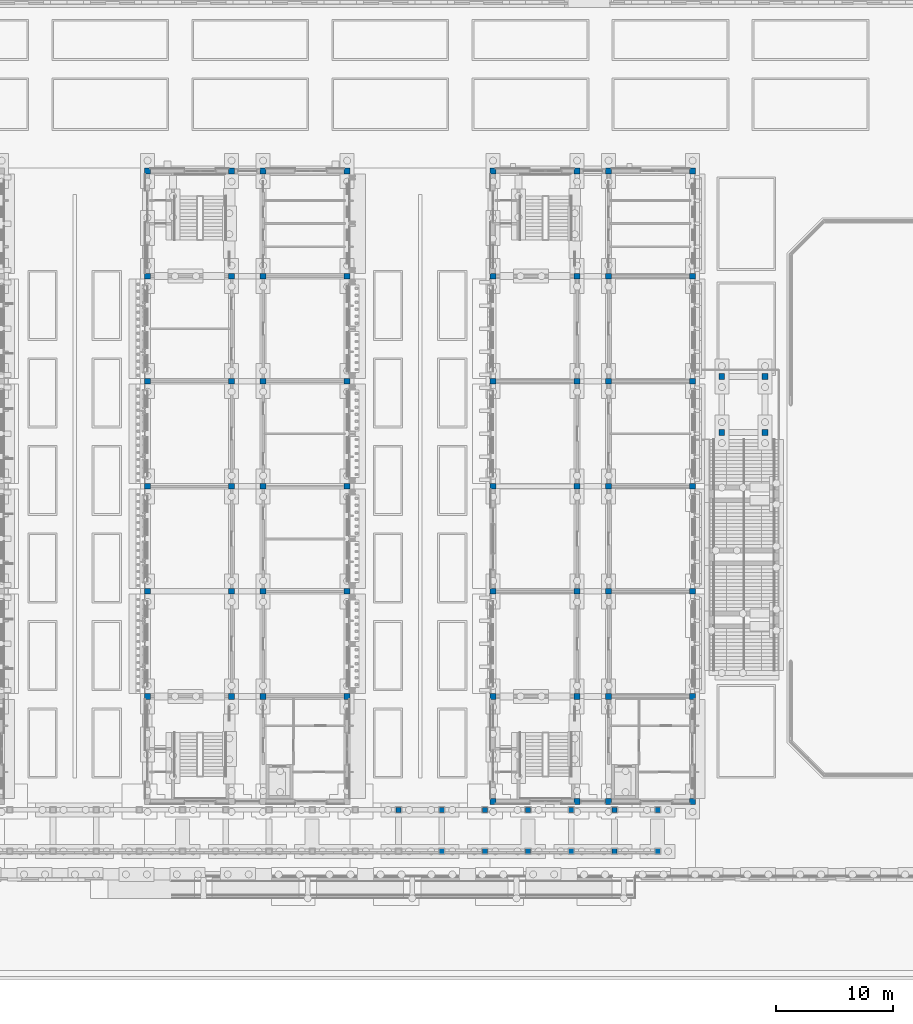
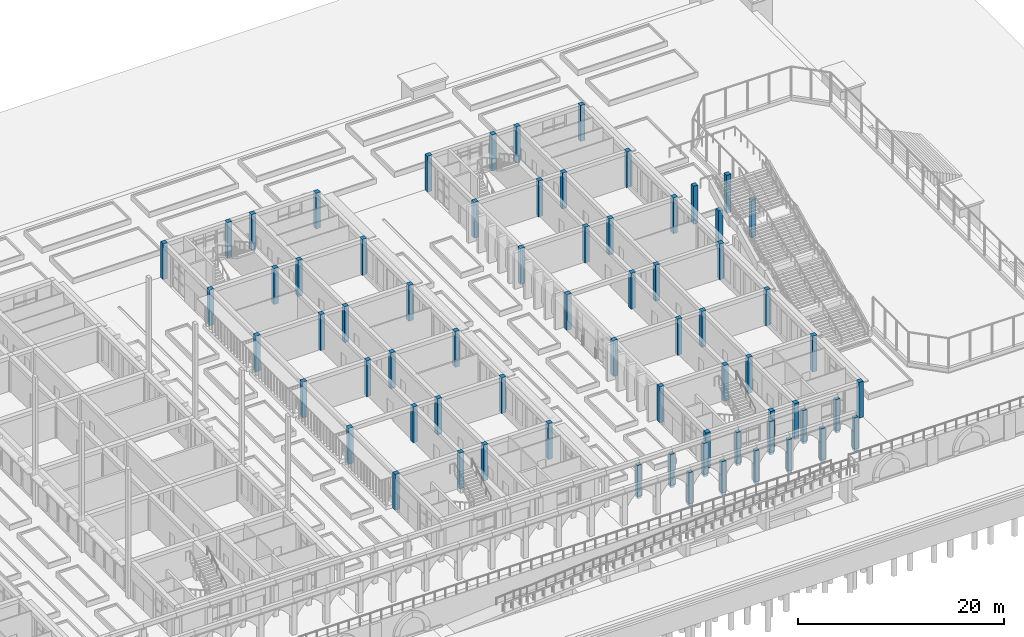
# One storey, part 9 of 161: 69 columns.
"""IFC4 building model written with IfcOpenShell, lengths in metres."""

from ifc_helpers import new_model, si_unit, direction, frame, origin, origin_2d, place, context, subcontext, project, spatial, rectangle, extrude, material, material_profile, profile_set, type_object, element, save


model = new_model("IFC4")

# Units and contexts
model_context = context("Model", 3, precision=1e-05, world=origin(), true_north=direction((0.0, 1.0)))
body_context = subcontext(model_context, "Body", "Model", "MODEL_VIEW")
ifc_project = project(units=[si_unit("LENGTHUNIT", "METRE"), si_unit("AREAUNIT", "SQUARE_METRE"), si_unit("VOLUMEUNIT", "CUBIC_METRE"), si_unit("PLANEANGLEUNIT", "RADIAN"), si_unit("MASSUNIT", "GRAM", prefix="KILO")], contexts=[model_context])

# Site, building, storey
site_placement = place(None, origin())
site = spatial("IfcSite", under=ifc_project, at=site_placement, CompositionType="ELEMENT")
building_placement = place(site_placement, origin())
building = spatial("IfcBuilding", under=site, at=building_placement, Name="Elbe Cascade School", CompositionType="ELEMENT")
storey_placement = place(building_placement, origin())
storey = spatial("IfcBuildingStorey", under=building, at=storey_placement, Name="L00", CompositionType="ELEMENT", Elevation=0.0)

# Columns
ifc_material_1 = material(Name="Concrete C35/45", Category="concrete")
ifc_material_profile_1 = material_profile(ifc_material_1, rectangle(XDim=0.449951171875, YDim=0.449951171875, at=origin_2d()), Name="RC 450x450")
ifc_profile_set_1 = profile_set([ifc_material_profile_1], Name="Concrete C35/45")
column_type_1 = type_object("IfcColumnType", Name="Colonnade column RC 450x450", PredefinedType="COLUMN", material=ifc_profile_set_1)
for number, where, z_axis, x_axis, name in (
    (1, (153.39990234375, 1.72509765625, -0.300048828125), (0.0, 0.0, 1.0), (1.0, 0.0, 0.0), "Colonnade column F40"),
    (2, (157.10009765625, 1.72509765625, -0.300048828125), (0.0, 0.0, 1.0), (1.0, 0.0, 0.0), "Colonnade column F41"),
    (3, (160.800048828125, 1.72509765625, -0.300048828125), (0.0, 0.0, 1.0), (1.0, 0.0, 0.0), "Colonnade column F42"),
    (4, (164.5, 1.72509765625, -0.300048828125), (0.0, 0.0, 1.0), (1.0, 0.0, 0.0), "Colonnade column F43"),
    (5, (168.199951171875, 1.72509765625, -0.300048828125), (0.0, 0.0, 1.0), (1.0, 0.0, 0.0), "Colonnade column F44"),
    (6, (171.89990234375, 1.72509765625, -0.300048828125), (0.0, 0.0, 1.0), (1.0, 0.0, 0.0), "Colonnade column F45"),
    (7, (149.699951171875, 5.27490234375, -0.300048828125), (0.0, 0.0, 1.0), (1.0, 0.0, 0.0), "Colonnade column R39"),
    (8, (153.39990234375, 5.27490234375, -0.300048828125), (0.0, 0.0, 1.0), (1.0, 0.0, 0.0), "Colonnade column R40"),
    (9, (157.10009765625, 5.27490234375, -0.300048828125), (0.0, 0.0, 1.0), (1.0, 0.0, 0.0), "Colonnade column R41"),
    (10, (160.800048828125, 5.27490234375, -0.300048828125), (0.0, 0.0, 1.0), (1.0, 0.0, 0.0), "Colonnade column R42"),
    (11, (164.5, 5.27490234375, -0.300048828125), (0.0, 0.0, 1.0), (1.0, 0.0, 0.0), "Colonnade column R43"),
    (12, (168.199951171875, 5.27490234375, -0.300048828125), (0.0, 0.0, 1.0), (1.0, 0.0, 0.0), "Colonnade column R44"),
    (13, (171.89990234375, 5.27490234375, -0.300048828125), (0.0, 0.0, 1.0), (1.0, 0.0, 0.0), "Colonnade column R45"),
):
    element("IfcColumn", number, at=place(storey_placement, frame(where, z_axis=z_axis, x_axis=x_axis)), inside=storey, type_object=column_type_1, Name=name, PredefinedType="COLUMN", context=body_context, shape_type="SweptSolid", body=[
        extrude(rectangle(XDim=0.449951171875, YDim=0.449951171875, at=origin_2d()), origin(), (0.0, 0.0, 1.0), 3.949951171875),
    ])
ifc_material_2 = material(Name="Concrete C30/37", Category="concrete")
ifc_material_profile_2 = material_profile(ifc_material_2, rectangle(XDim=0.5, YDim=0.5, at=origin_2d()), Name="RC 500x500")
ifc_profile_set_2 = profile_set([ifc_material_profile_2], Name="Concrete C30/37")
column_type_2 = type_object("IfcColumnType", Name="RC 500x500 column", PredefinedType="COLUMN", material=ifc_profile_set_2)
for number, where, z_axis, x_axis, name in (
    (14, (128.199951171875, 15.0, 0.0), (0.0, 0.0, 1.0), (1.0, 0.0, 0.0), "RC 500x500 column C1"),
    (15, (128.199951171875, 24.0, 0.0), (0.0, 0.0, 1.0), (1.0, 0.0, 0.0), "RC 500x500 column C1"),
    (16, (128.199951171875, 33.0, 0.0), (0.0, 0.0, 1.0), (1.0, 0.0, 0.0), "RC 500x500 column C1"),
    (17, (128.199951171875, 42.0, 0.0), (0.0, 0.0, 1.0), (1.0, 0.0, 0.0), "RC 500x500 column C1"),
    (18, (128.199951171875, 51.0, 0.0), (0.0, 0.0, 1.0), (1.0, 0.0, 0.0), "RC 500x500 column C1"),
    (19, (128.199951171875, 60.0, 0.0), (0.0, 0.0, 1.0), (1.0, 0.0, 0.0), "RC 500x500 column C1"),
    (20, (135.39990234375, 15.0, 0.0), (0.0, 0.0, 1.0), (1.0, 0.0, 0.0), "RC 500x500 column C1"),
    (21, (135.39990234375, 24.0, 0.0), (0.0, 0.0, 1.0), (1.0, 0.0, 0.0), "RC 500x500 column C1"),
    (22, (135.39990234375, 33.0, 0.0), (0.0, 0.0, 1.0), (1.0, 0.0, 0.0), "RC 500x500 column C1"),
    (23, (135.39990234375, 42.0, 0.0), (0.0, 0.0, 1.0), (1.0, 0.0, 0.0), "RC 500x500 column C1"),
    (24, (135.39990234375, 51.0, 0.0), (0.0, 0.0, 1.0), (1.0, 0.0, 0.0), "RC 500x500 column C1"),
    (25, (135.39990234375, 60.0, 0.0), (0.0, 0.0, 1.0), (1.0, 0.0, 0.0), "RC 500x500 column C1"),
    (26, (138.10009765625, 15.0, 0.0), (0.0, 0.0, 1.0), (1.0, 0.0, 0.0), "RC 500x500 column C1"),
    (27, (138.10009765625, 24.0, 0.0), (0.0, 0.0, 1.0), (1.0, 0.0, 0.0), "RC 500x500 column C1"),
    (28, (138.10009765625, 33.0, 0.0), (0.0, 0.0, 1.0), (1.0, 0.0, 0.0), "RC 500x500 column C1"),
    (29, (138.10009765625, 42.0, 0.0), (0.0, 0.0, 1.0), (1.0, 0.0, 0.0), "RC 500x500 column C1"),
    (30, (138.10009765625, 51.0, 0.0), (0.0, 0.0, 1.0), (1.0, 0.0, 0.0), "RC 500x500 column C1"),
    (31, (138.10009765625, 60.0, 0.0), (0.0, 0.0, 1.0), (1.0, 0.0, 0.0), "RC 500x500 column C1"),
    (32, (145.300048828125, 15.0, 0.0), (0.0, 0.0, 1.0), (1.0, 0.0, 0.0), "RC 500x500 column C1"),
    (33, (145.300048828125, 24.0, 0.0), (0.0, 0.0, 1.0), (1.0, 0.0, 0.0), "RC 500x500 column C1"),
    (34, (145.300048828125, 33.0, 0.0), (0.0, 0.0, 1.0), (1.0, 0.0, 0.0), "RC 500x500 column C1"),
    (35, (145.300048828125, 42.0, 0.0), (0.0, 0.0, 1.0), (1.0, 0.0, 0.0), "RC 500x500 column C1"),
    (36, (145.300048828125, 51.0, 0.0), (0.0, 0.0, 1.0), (1.0, 0.0, 0.0), "RC 500x500 column C1"),
    (37, (145.300048828125, 60.0, 0.0), (0.0, 0.0, 1.0), (1.0, 0.0, 0.0), "RC 500x500 column C1"),
    (38, (157.800048828125, 6.0, 0.0), (0.0, 0.0, 1.0), (1.0, 0.0, 0.0), "RC 500x500 column C1"),
    (39, (157.800048828125, 15.0, 0.0), (0.0, 0.0, 1.0), (1.0, 0.0, 0.0), "RC 500x500 column C1"),
    (40, (157.800048828125, 24.0, 0.0), (0.0, 0.0, 1.0), (1.0, 0.0, 0.0), "RC 500x500 column C1"),
    (41, (157.800048828125, 33.0, 0.0), (0.0, 0.0, 1.0), (1.0, 0.0, 0.0), "RC 500x500 column C1"),
    (42, (157.800048828125, 42.0, 0.0), (0.0, 0.0, 1.0), (1.0, 0.0, 0.0), "RC 500x500 column C1"),
    (43, (157.800048828125, 51.0, 0.0), (0.0, 0.0, 1.0), (1.0, 0.0, 0.0), "RC 500x500 column C1"),
    (44, (157.800048828125, 60.0, 0.0), (0.0, 0.0, 1.0), (1.0, 0.0, 0.0), "RC 500x500 column C1"),
    (45, (165.0, 6.0, 0.0), (0.0, 0.0, 1.0), (1.0, 0.0, 0.0), "RC 500x500 column C1"),
    (46, (165.0, 15.0, 0.0), (0.0, 0.0, 1.0), (1.0, 0.0, 0.0), "RC 500x500 column C1"),
    (47, (165.0, 24.0, 0.0), (0.0, 0.0, 1.0), (1.0, 0.0, 0.0), "RC 500x500 column C1"),
    (48, (165.0, 33.0, 0.0), (0.0, 0.0, 1.0), (1.0, 0.0, 0.0), "RC 500x500 column C1"),
    (49, (165.0, 42.0, 0.0), (0.0, 0.0, 1.0), (1.0, 0.0, 0.0), "RC 500x500 column C1"),
    (50, (165.0, 51.0, 0.0), (0.0, 0.0, 1.0), (1.0, 0.0, 0.0), "RC 500x500 column C1"),
    (51, (165.0, 60.0, 0.0), (0.0, 0.0, 1.0), (1.0, 0.0, 0.0), "RC 500x500 column C1"),
    (52, (167.699951171875, 6.0, 0.0), (0.0, 0.0, 1.0), (1.0, 0.0, 0.0), "RC 500x500 column C1"),
    (53, (167.699951171875, 15.0, 0.0), (0.0, 0.0, 1.0), (1.0, 0.0, 0.0), "RC 500x500 column C1"),
    (54, (167.699951171875, 24.0, 0.0), (0.0, 0.0, 1.0), (1.0, 0.0, 0.0), "RC 500x500 column C1"),
    (55, (167.699951171875, 33.0, 0.0), (0.0, 0.0, 1.0), (1.0, 0.0, 0.0), "RC 500x500 column C1"),
    (56, (167.699951171875, 42.0, 0.0), (0.0, 0.0, 1.0), (1.0, 0.0, 0.0), "RC 500x500 column C1"),
    (57, (167.699951171875, 51.0, 0.0), (0.0, 0.0, 1.0), (1.0, 0.0, 0.0), "RC 500x500 column C1"),
    (58, (167.699951171875, 60.0, 0.0), (0.0, 0.0, 1.0), (1.0, 0.0, 0.0), "RC 500x500 column C1"),
    (59, (174.89990234375, 6.0, 0.0), (0.0, 0.0, 1.0), (1.0, 0.0, 0.0), "RC 500x500 column C1"),
    (60, (174.89990234375, 15.0, 0.0), (0.0, 0.0, 1.0), (1.0, 0.0, 0.0), "RC 500x500 column C1"),
    (61, (174.89990234375, 24.0, 0.0), (0.0, 0.0, 1.0), (1.0, 0.0, 0.0), "RC 500x500 column C1"),
    (62, (174.89990234375, 33.0, 0.0), (0.0, 0.0, 1.0), (1.0, 0.0, 0.0), "RC 500x500 column C1"),
    (63, (174.89990234375, 42.0, 0.0), (0.0, 0.0, 1.0), (1.0, 0.0, 0.0), "RC 500x500 column C1"),
    (64, (174.89990234375, 51.0, 0.0), (0.0, 0.0, 1.0), (1.0, 0.0, 0.0), "RC 500x500 column C1"),
    (65, (174.89990234375, 60.0, 0.0), (0.0, 0.0, 1.0), (1.0, 0.0, 0.0), "RC 500x500 column C1"),
):
    element("IfcColumn", number, at=place(storey_placement, frame(where, z_axis=z_axis, x_axis=x_axis)), inside=storey, type_object=column_type_2, Name=name, PredefinedType="COLUMN", context=body_context, shape_type="SweptSolid", body=[
        extrude(rectangle(XDim=0.5, YDim=0.5, at=origin_2d()), origin(), (0.0, 0.0, 1.0), 4.25),
    ])
for number, where, z_axis, x_axis, name in (
    (66, (177.39990234375, 37.60009765625, 0.0), (0.0, 0.0, 1.0), (1.0, 0.0, 0.0), "RC 500x500 column C1"),
    (67, (177.39990234375, 42.39990234375, 0.0), (0.0, 0.0, 1.0), (1.0, 0.0, 0.0), "RC 500x500 column C1"),
    (68, (181.10009765625, 37.60009765625, 0.0), (0.0, 0.0, 1.0), (1.0, 0.0, 0.0), "RC 500x500 column C1"),
    (69, (181.10009765625, 42.39990234375, 0.0), (0.0, 0.0, 1.0), (1.0, 0.0, 0.0), "RC 500x500 column C1"),
):
    element("IfcColumn", number, at=place(storey_placement, frame(where, z_axis=z_axis, x_axis=x_axis)), inside=storey, type_object=column_type_2, Name=name, PredefinedType="COLUMN", context=body_context, shape_type="SweptSolid", body=[
        extrude(rectangle(XDim=0.5, YDim=0.5, at=origin_2d()), origin(), (0.0, 0.0, 1.0), 4.5),
    ])

save(model, "model.ifc")
